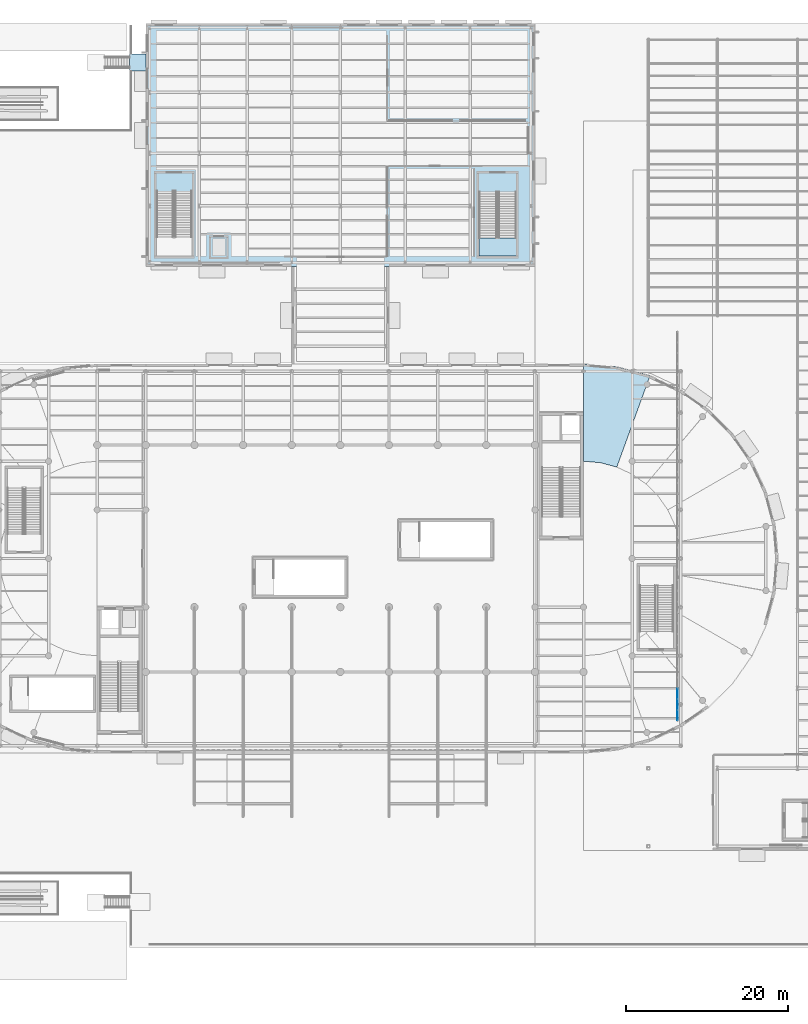
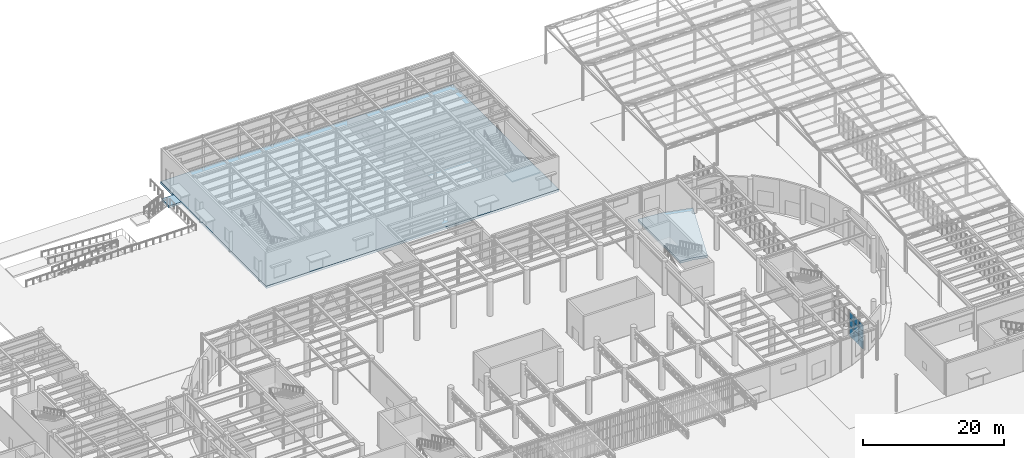
# One storey, part 77 of 118: 9 plates, 4 slabs, 2 elements without a shape of their own.
"""IFC4 building model written with IfcOpenShell, lengths in metres."""

from ifc_helpers import new_model, si_unit, direction, frame, origin, origin_2d, place, context, subcontext, project, spatial, polyline, rectangle, outline, extrude, material, layer, layer_set, type_object, element, aggregate, save


model = new_model("IFC4")

# Units and contexts
model_context = context("Model", 3, precision=1e-05, world=origin(), true_north=direction((0.0, 1.0)))
body_context = subcontext(model_context, "Body", "Model", "MODEL_VIEW")
ifc_project = project(units=[si_unit("LENGTHUNIT", "METRE"), si_unit("AREAUNIT", "SQUARE_METRE"), si_unit("VOLUMEUNIT", "CUBIC_METRE"), si_unit("PLANEANGLEUNIT", "RADIAN"), si_unit("MASSUNIT", "GRAM", prefix="KILO")], contexts=[model_context])

# Site, building, storey
site_placement = place(None, origin())
site = spatial("IfcSite", under=ifc_project, at=site_placement, CompositionType="ELEMENT")
building_placement = place(site_placement, origin())
building = spatial("IfcBuilding", under=site, at=building_placement, Name="Kolvaren Corner Interchange", CompositionType="ELEMENT")
storey_placement = place(building_placement, origin())
storey = spatial("IfcBuildingStorey", under=building, at=storey_placement, Name="L01", CompositionType="ELEMENT", Elevation=0.0)

# Curtain wall, plates
ifc_material_1 = material(Name="Unitised Aluminium and Solar-Control Glass Curtain Wall", Category="aluminium")
curtain_wall_type = type_object("IfcCurtainWallType", Name="CW-V4-BOARD", PredefinedType="NOTDEFINED", material=ifc_material_1)
curtain_wall_placement = place(storey_placement, origin())
curtain_wall = element("IfcCurtainWall", 1, at=curtain_wall_placement, inside=storey, type_object=curtain_wall_type, Name="Bus Island West Boarding Curtain Wall Bay 01", PredefinedType="NOTDEFINED")
ifc_material_2 = material(Name="Low-E Solar-Control Laminated Glass", Category="glass")
ifc_layer_1 = layer(ifc_material_2, 0.035888671875)
ifc_layer_set_1 = layer_set([ifc_layer_1], Name="Low-E Solar-Control Laminated Glass")
plate_type = type_object("IfcPlateType", Name="PLT-CW-GL32", PredefinedType="CURTAIN_PANEL", material=ifc_layer_set_1)
plate_1_placement = place(storey_placement, frame((131.60009765625, 28.681640625, 0.05517578125), z_axis=(0.0, 0.0, 1.0), x_axis=(0.0, 1.0, 0.0)))
plate_1 = element("IfcPlate", 2, at=plate_1_placement, type_object=plate_type, Name="CW-126 panel 1.1", PredefinedType="CURTAIN_PANEL", context=body_context, shape_type="SweptSolid", body=[
    extrude(rectangle(XDim=1.243408203125, YDim=0.035888671875, at=origin_2d()), origin(), (0.0, 0.0, 1.0), 1.717529296875),
])
plate_2_placement = place(storey_placement, frame((131.60009765625, 28.681640625, 1.827392578125), z_axis=(0.0, 0.0, 1.0), x_axis=(0.0, 1.0, 0.0)))
plate_2 = element("IfcPlate", 3, at=plate_2_placement, type_object=plate_type, Name="CW-126 panel 1.2", PredefinedType="CURTAIN_PANEL", context=body_context, shape_type="SweptSolid", body=[
    extrude(rectangle(XDim=1.243408203125, YDim=0.035888671875, at=origin_2d()), origin(), (0.0, 0.0, 1.0), 1.2451171875),
])
plate_3_placement = place(storey_placement, frame((131.60009765625, 28.681640625, 3.12744140625), z_axis=(0.0, 0.0, 1.0), x_axis=(0.0, 1.0, 0.0)))
plate_3 = element("IfcPlate", 4, at=plate_3_placement, type_object=plate_type, Name="CW-126 panel 1.3", PredefinedType="CURTAIN_PANEL", context=body_context, shape_type="SweptSolid", body=[
    extrude(rectangle(XDim=1.243408203125, YDim=0.035888671875, at=origin_2d()), origin(), (0.0, 0.0, 1.0), 1.117431640625),
])
plate_4_placement = place(storey_placement, frame((131.60009765625, 30.0, 0.05517578125), z_axis=(0.0, 0.0, 1.0), x_axis=(0.0, 1.0, 0.0)))
plate_4 = element("IfcPlate", 5, at=plate_4_placement, type_object=plate_type, Name="CW-126 panel 2.1", PredefinedType="CURTAIN_PANEL", context=body_context, shape_type="SweptSolid", body=[
    extrude(rectangle(XDim=1.2734375, YDim=0.035888671875, at=origin_2d()), origin(), (0.0, 0.0, 1.0), 1.717529296875),
])
plate_5_placement = place(storey_placement, frame((131.60009765625, 30.0, 1.827392578125), z_axis=(0.0, 0.0, 1.0), x_axis=(0.0, 1.0, 0.0)))
plate_5 = element("IfcPlate", 6, at=plate_5_placement, type_object=plate_type, Name="CW-126 panel 2.2", PredefinedType="CURTAIN_PANEL", context=body_context, shape_type="SweptSolid", body=[
    extrude(rectangle(XDim=1.2734375, YDim=0.035888671875, at=origin_2d()), origin(), (0.0, 0.0, 1.0), 1.2451171875),
])
plate_6_placement = place(storey_placement, frame((131.60009765625, 30.0, 3.12744140625), z_axis=(0.0, 0.0, 1.0), x_axis=(0.0, 1.0, 0.0)))
plate_6 = element("IfcPlate", 7, at=plate_6_placement, type_object=plate_type, Name="CW-126 panel 2.3", PredefinedType="CURTAIN_PANEL", context=body_context, shape_type="SweptSolid", body=[
    extrude(rectangle(XDim=1.2734375, YDim=0.035888671875, at=origin_2d()), origin(), (0.0, 0.0, 1.0), 1.117431640625),
])
plate_7_placement = place(storey_placement, frame((131.60009765625, 31.318359375, 0.05517578125), z_axis=(0.0, 0.0, 1.0), x_axis=(0.0, 1.0, 0.0)))
plate_7 = element("IfcPlate", 8, at=plate_7_placement, type_object=plate_type, Name="CW-126 panel 3.1", PredefinedType="CURTAIN_PANEL", context=body_context, shape_type="SweptSolid", body=[
    extrude(rectangle(XDim=1.243408203125, YDim=0.035888671875, at=origin_2d()), origin(), (0.0, 0.0, 1.0), 1.717529296875),
])
plate_8_placement = place(storey_placement, frame((131.60009765625, 31.318359375, 1.827392578125), z_axis=(0.0, 0.0, 1.0), x_axis=(0.0, 1.0, 0.0)))
plate_8 = element("IfcPlate", 9, at=plate_8_placement, type_object=plate_type, Name="CW-126 panel 3.2", PredefinedType="CURTAIN_PANEL", context=body_context, shape_type="SweptSolid", body=[
    extrude(rectangle(XDim=1.243408203125, YDim=0.035888671875, at=origin_2d()), origin(), (0.0, 0.0, 1.0), 1.2451171875),
])
plate_9_placement = place(storey_placement, frame((131.60009765625, 31.318359375, 3.12744140625), z_axis=(0.0, 0.0, 1.0), x_axis=(0.0, 1.0, 0.0)))
plate_9 = element("IfcPlate", 10, at=plate_9_placement, type_object=plate_type, Name="CW-126 panel 3.3", PredefinedType="CURTAIN_PANEL", context=body_context, shape_type="SweptSolid", body=[
    extrude(rectangle(XDim=1.243408203125, YDim=0.035888671875, at=origin_2d()), origin(), (0.0, 0.0, 1.0), 1.117431640625),
])
aggregate(curtain_wall, [plate_1, plate_2, plate_3, plate_4, plate_5, plate_6, plate_7, plate_8, plate_9])

# Slab
ifc_material_3 = material(Name="Concrete C35/45", Category="concrete")
ifc_layer_2 = layer(ifc_material_3, 0.340087890625)
ifc_layer_set_2 = layer_set([ifc_layer_2], Name="Concrete C35/45")
slab_type_1 = type_object("IfcSlabType", Name="SL-RAMP-LAND", PredefinedType="LANDING", material=ifc_layer_set_2)
slab_1_placement = place(storey_placement, frame((0.0, 0.0, -0.3798828125)))
element("IfcSlab", 11, at=slab_1_placement, inside=storey, type_object=slab_type_1, Name="Northwest Cycle Hub Civic Steps Top Plinth Arrival Slab", PredefinedType="LANDING", context=body_context, shape_type="SweptSolid", body=[
    extrude(outline(polyline([(64.0, 108.14990234375), (66.0, 108.14990234375), (66.0, 110.25), (64.0, 110.25), (64.0, 108.14990234375)])), origin(), (0.0, 0.0, 1.0), 0.33984375),
])

# Stair, slab
ifc_material_4 = material(Name="Concrete C35/45", Category="concrete")
stair_type = type_object("IfcStairType", Name="ST-CY-2200", PredefinedType="HALF_TURN_STAIR", material=ifc_material_4)
stair_placement = place(storey_placement, origin())
stair = element("IfcStair", 12, at=stair_placement, inside=storey, type_object=stair_type, Name="Cycle Hub East Mezzanine Exit Stair L01 to L02 Stair", PredefinedType="HALF_TURN_STAIR")
ifc_material_5 = material(Name="Concrete C35/45", Category="concrete")
ifc_layer_3 = layer(ifc_material_5, 0.199951171875)
ifc_layer_set_3 = layer_set([ifc_layer_3], Name="Concrete C35/45")
slab_type_2 = type_object("IfcSlabType", Name="SL-STAIR-LAND200", PredefinedType="LANDING", material=ifc_layer_set_3)
slab_2_placement = place(storey_placement, frame((0.0, 0.0, 2.800048828125)))
slab_2 = element("IfcSlab", 13, at=slab_2_placement, type_object=slab_type_2, Name="Cycle Hub East Mezzanine Exit Stair L01 Intermediate Half Landing Slab", PredefinedType="LANDING", context=body_context, shape_type="SweptSolid", body=[
    extrude(outline(polyline([(107.10009765625, 87.550048828125), (107.10009765625, 85.300048828125), (111.699951171875, 85.300048828125), (111.699951171875, 87.550048828125), (107.10009765625, 87.550048828125)])), origin(), (0.0, 0.0, 1.0), 0.199951171875),
])
aggregate(stair, [slab_2])

# Slabs
ifc_material_6 = material(Name="Concrete C40/50", Category="concrete")
ifc_layer_4 = layer(ifc_material_6, 0.39990234375)
ifc_layer_set_4 = layer_set([ifc_layer_4], Name="Concrete C40/50")
slab_type_3 = type_object("IfcSlabType", Name="SL-TRANSFER-400", PredefinedType="FLOOR", material=ifc_layer_set_4)
slab_3_placement = place(storey_placement, frame((0.0, 0.0, -0.39990234375)))
element("IfcSlab", 14, at=slab_3_placement, inside=storey, type_object=slab_type_3, Name="Level 01 Racetrack East Radial Sector Slab 09", PredefinedType="FLOOR", context=body_context, shape_type="SweptSolid", body=[
    extrude(outline(polyline([(128.20849609375, 70.552490234375), (124.16748046875, 71.635498046875), (120.0, 72.0), (120.0, 60.0), (122.083740234375, 59.817626953125), (124.104248046875, 59.2763671875), (128.20849609375, 70.552490234375)])), origin(), (0.0, 0.0, 1.0), 0.39990234375),
])
slab_4_placement = place(storey_placement, frame((0.0, 0.0, -0.39990234375)))
element("IfcSlab", 15, at=slab_4_placement, inside=storey, type_object=slab_type_3, Name="Level 01 Cycle Hub Ground Floor Slab", PredefinedType="FLOOR", context=body_context, shape_type="SweptSolid", body=[
    extrude(outline(polyline([(114.0, 84.0), (114.0, 114.0), (66.0, 114.0), (66.0, 84.0), (114.0, 84.0)])), origin(), (0.0, 0.0, 1.0), 0.39990234375),
])

save(model, "model.ifc")
